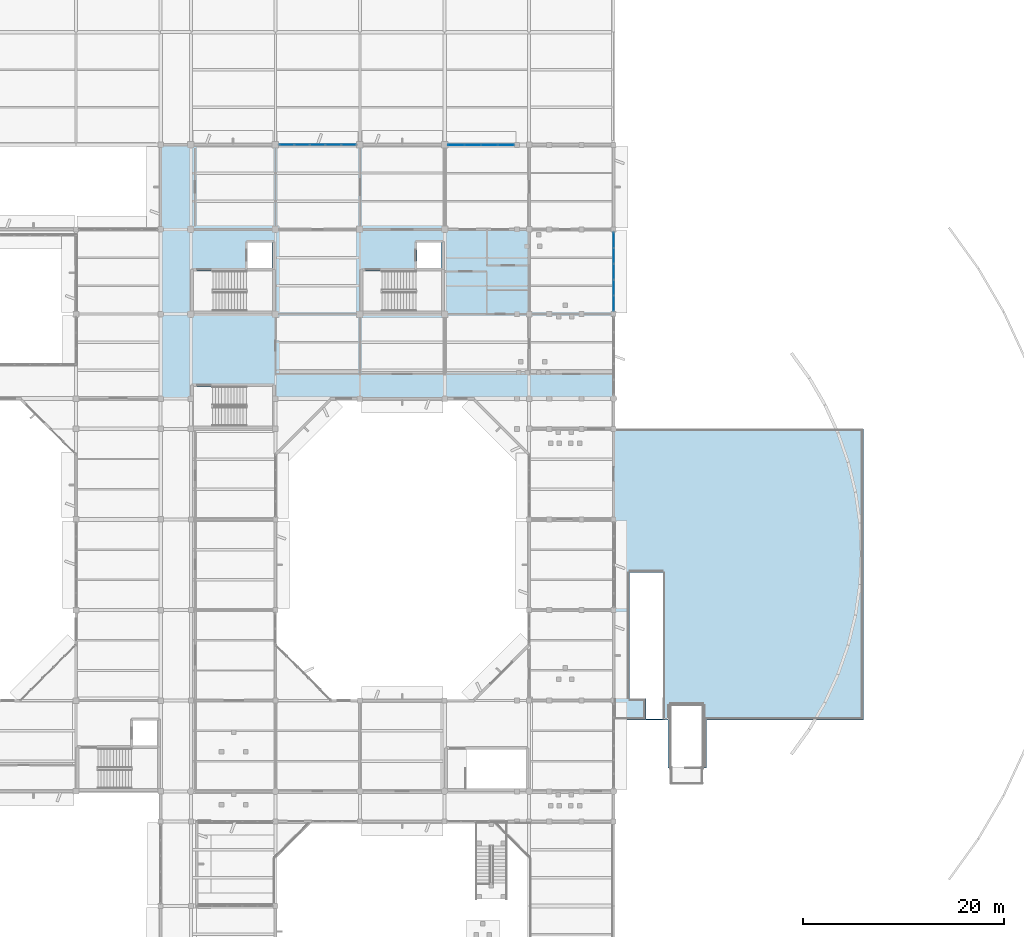
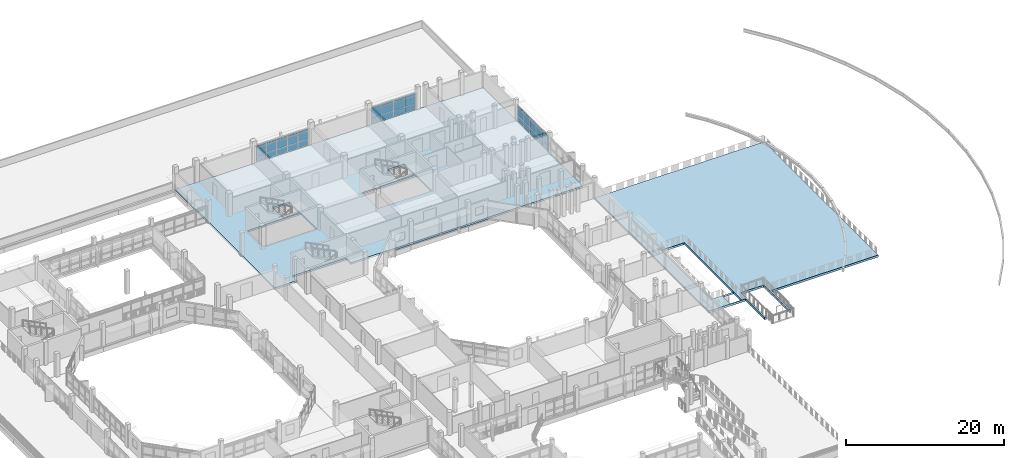
# One storey, part 56 of 92: 42 plates, 2 slabs, 3 elements without a shape of their own.
"""IFC4 building model written with IfcOpenShell, lengths in metres."""

from ifc_helpers import new_model, si_unit, direction, frame, origin, origin_2d, place, context, subcontext, project, spatial, polyline, rectangle, outline, extrude, material, layer, layer_set, type_object, element, aggregate, save


model = new_model("IFC4")

# Units and contexts
model_context = context("Model", 3, precision=1e-05, world=origin(), true_north=direction((0.0, 1.0)))
body_context = subcontext(model_context, "Body", "Model", "MODEL_VIEW")
ifc_project = project(units=[si_unit("LENGTHUNIT", "METRE"), si_unit("AREAUNIT", "SQUARE_METRE"), si_unit("VOLUMEUNIT", "CUBIC_METRE"), si_unit("PLANEANGLEUNIT", "RADIAN"), si_unit("MASSUNIT", "GRAM", prefix="KILO")], contexts=[model_context])

# Site, building, storey
site_placement = place(None, origin())
site = spatial("IfcSite", under=ifc_project, at=site_placement, CompositionType="ELEMENT")
building_placement = place(site_placement, origin())
building = spatial("IfcBuilding", under=site, at=building_placement, Name="Vanh Quang Courtyard School", CompositionType="ELEMENT")
storey_placement = place(building_placement, frame((0.0, 0.0, 7.800048828125)))
storey = spatial("IfcBuildingStorey", under=building, at=storey_placement, Name="L02", CompositionType="ELEMENT", Elevation=7.800048828125)

# Curtain wall, plates
ifc_material_1 = material(Name="Thermally broken aluminium unitised curtain wall", Category="aluminium")
curtain_wall_type_1 = type_object("IfcCurtainWallType", Name="CW-SYS-21", PredefinedType="NOTDEFINED", material=ifc_material_1)
curtain_wall_1_placement = place(storey_placement, origin())
curtain_wall_1 = element("IfcCurtainWall", 1, at=curtain_wall_1_placement, inside=storey, type_object=curtain_wall_type_1, Name="Curtain Wall CW-21 (L02)", PredefinedType="NOTDEFINED")
ifc_material_2 = material(Name="Low-E laminated double glazing", Category="glass")
ifc_layer_1 = layer(ifc_material_2, 0.028076171875)
ifc_layer_set_1 = layer_set([ifc_layer_1], Name="Low-E laminated double glazing")
plate_type_1 = type_object("IfcPlateType", Name="CW-PNL-28", PredefinedType="CURTAIN_PANEL", material=ifc_layer_set_1)
plate_1_placement = place(storey_placement, frame((86.926513671875, 96.60009765625, 0.079833984375), z_axis=(0.0, 0.0, 1.0), x_axis=(1.0, 0.0, 0.0)))
plate_1 = element("IfcPlate", 2, at=plate_1_placement, type_object=plate_type_1, Name="CW-21 panel 1.1", PredefinedType="CURTAIN_PANEL", context=body_context, shape_type="SweptSolid", body=[
    extrude(rectangle(XDim=1.4267578125, YDim=0.028076171875, at=origin_2d()), origin(), (0.0, 0.0, 1.0), 0.830078125),
])
plate_2_placement = place(storey_placement, frame((86.926513671875, 96.60009765625, 0.98974609375), z_axis=(0.0, 0.0, 1.0), x_axis=(1.0, 0.0, 0.0)))
plate_2 = element("IfcPlate", 3, at=plate_2_placement, type_object=plate_type_1, Name="CW-21 panel 1.2", PredefinedType="CURTAIN_PANEL", context=body_context, shape_type="SweptSolid", body=[
    extrude(rectangle(XDim=1.4267578125, YDim=0.028076171875, at=origin_2d()), origin(), (0.0, 0.0, 1.0), 1.219970703125),
])
plate_3_placement = place(storey_placement, frame((86.926513671875, 96.60009765625, 2.2900390625), z_axis=(0.0, 0.0, 1.0), x_axis=(1.0, 0.0, 0.0)))
plate_3 = element("IfcPlate", 4, at=plate_3_placement, type_object=plate_type_1, Name="CW-21 panel 1.3", PredefinedType="CURTAIN_PANEL", context=body_context, shape_type="SweptSolid", body=[
    extrude(rectangle(XDim=1.4267578125, YDim=0.028076171875, at=origin_2d()), origin(), (0.0, 0.0, 1.0), 0.27001953125),
])
plate_4_placement = place(storey_placement, frame((88.453125, 96.60009765625, 0.079833984375), z_axis=(0.0, 0.0, 1.0), x_axis=(1.0, 0.0, 0.0)))
plate_4 = element("IfcPlate", 5, at=plate_4_placement, type_object=plate_type_1, Name="CW-21 panel 2.1", PredefinedType="CURTAIN_PANEL", context=body_context, shape_type="SweptSolid", body=[
    extrude(rectangle(XDim=1.466796875, YDim=0.028076171875, at=origin_2d()), origin(), (0.0, 0.0, 1.0), 0.830078125),
])
plate_5_placement = place(storey_placement, frame((88.453125, 96.60009765625, 0.98974609375), z_axis=(0.0, 0.0, 1.0), x_axis=(1.0, 0.0, 0.0)))
plate_5 = element("IfcPlate", 6, at=plate_5_placement, type_object=plate_type_1, Name="CW-21 panel 2.2", PredefinedType="CURTAIN_PANEL", context=body_context, shape_type="SweptSolid", body=[
    extrude(rectangle(XDim=1.466796875, YDim=0.028076171875, at=origin_2d()), origin(), (0.0, 0.0, 1.0), 1.219970703125),
])
plate_6_placement = place(storey_placement, frame((88.453125, 96.60009765625, 2.2900390625), z_axis=(0.0, 0.0, 1.0), x_axis=(1.0, 0.0, 0.0)))
plate_6 = element("IfcPlate", 7, at=plate_6_placement, type_object=plate_type_1, Name="CW-21 panel 2.3", PredefinedType="CURTAIN_PANEL", context=body_context, shape_type="SweptSolid", body=[
    extrude(rectangle(XDim=1.466796875, YDim=0.028076171875, at=origin_2d()), origin(), (0.0, 0.0, 1.0), 0.27001953125),
])
plate_7_placement = place(storey_placement, frame((90.0, 96.60009765625, 0.079833984375), z_axis=(0.0, 0.0, 1.0), x_axis=(1.0, 0.0, 0.0)))
plate_7 = element("IfcPlate", 8, at=plate_7_placement, type_object=plate_type_1, Name="CW-21 panel 3.1", PredefinedType="CURTAIN_PANEL", context=body_context, shape_type="SweptSolid", body=[
    extrude(rectangle(XDim=1.466796875, YDim=0.028076171875, at=origin_2d()), origin(), (0.0, 0.0, 1.0), 0.830078125),
])
plate_8_placement = place(storey_placement, frame((90.0, 96.60009765625, 0.98974609375), z_axis=(0.0, 0.0, 1.0), x_axis=(1.0, 0.0, 0.0)))
plate_8 = element("IfcPlate", 9, at=plate_8_placement, type_object=plate_type_1, Name="CW-21 panel 3.2", PredefinedType="CURTAIN_PANEL", context=body_context, shape_type="SweptSolid", body=[
    extrude(rectangle(XDim=1.466796875, YDim=0.028076171875, at=origin_2d()), origin(), (0.0, 0.0, 1.0), 1.219970703125),
])
plate_9_placement = place(storey_placement, frame((90.0, 96.60009765625, 2.2900390625), z_axis=(0.0, 0.0, 1.0), x_axis=(1.0, 0.0, 0.0)))
plate_9 = element("IfcPlate", 10, at=plate_9_placement, type_object=plate_type_1, Name="CW-21 panel 3.3", PredefinedType="CURTAIN_PANEL", context=body_context, shape_type="SweptSolid", body=[
    extrude(rectangle(XDim=1.466796875, YDim=0.028076171875, at=origin_2d()), origin(), (0.0, 0.0, 1.0), 0.27001953125),
])
plate_10_placement = place(storey_placement, frame((91.546875, 96.60009765625, 0.079833984375), z_axis=(0.0, 0.0, 1.0), x_axis=(1.0, 0.0, 0.0)))
plate_10 = element("IfcPlate", 11, at=plate_10_placement, type_object=plate_type_1, Name="CW-21 panel 4.1", PredefinedType="CURTAIN_PANEL", context=body_context, shape_type="SweptSolid", body=[
    extrude(rectangle(XDim=1.466796875, YDim=0.028076171875, at=origin_2d()), origin(), (0.0, 0.0, 1.0), 0.830078125),
])
plate_11_placement = place(storey_placement, frame((91.546875, 96.60009765625, 0.98974609375), z_axis=(0.0, 0.0, 1.0), x_axis=(1.0, 0.0, 0.0)))
plate_11 = element("IfcPlate", 12, at=plate_11_placement, type_object=plate_type_1, Name="CW-21 panel 4.2", PredefinedType="CURTAIN_PANEL", context=body_context, shape_type="SweptSolid", body=[
    extrude(rectangle(XDim=1.466796875, YDim=0.028076171875, at=origin_2d()), origin(), (0.0, 0.0, 1.0), 1.219970703125),
])
plate_12_placement = place(storey_placement, frame((91.546875, 96.60009765625, 2.2900390625), z_axis=(0.0, 0.0, 1.0), x_axis=(1.0, 0.0, 0.0)))
plate_12 = element("IfcPlate", 13, at=plate_12_placement, type_object=plate_type_1, Name="CW-21 panel 4.3", PredefinedType="CURTAIN_PANEL", context=body_context, shape_type="SweptSolid", body=[
    extrude(rectangle(XDim=1.466796875, YDim=0.028076171875, at=origin_2d()), origin(), (0.0, 0.0, 1.0), 0.27001953125),
])
plate_13_placement = place(storey_placement, frame((93.073486328125, 96.60009765625, 0.079833984375), z_axis=(0.0, 0.0, 1.0), x_axis=(1.0, 0.0, 0.0)))
plate_13 = element("IfcPlate", 14, at=plate_13_placement, type_object=plate_type_1, Name="CW-21 panel 5.1", PredefinedType="CURTAIN_PANEL", context=body_context, shape_type="SweptSolid", body=[
    extrude(rectangle(XDim=1.4267578125, YDim=0.028076171875, at=origin_2d()), origin(), (0.0, 0.0, 1.0), 0.830078125),
])
plate_14_placement = place(storey_placement, frame((93.073486328125, 96.60009765625, 0.98974609375), z_axis=(0.0, 0.0, 1.0), x_axis=(1.0, 0.0, 0.0)))
plate_14 = element("IfcPlate", 15, at=plate_14_placement, type_object=plate_type_1, Name="CW-21 panel 5.2", PredefinedType="CURTAIN_PANEL", context=body_context, shape_type="SweptSolid", body=[
    extrude(rectangle(XDim=1.4267578125, YDim=0.028076171875, at=origin_2d()), origin(), (0.0, 0.0, 1.0), 1.219970703125),
])
plate_15_placement = place(storey_placement, frame((93.073486328125, 96.60009765625, 2.2900390625), z_axis=(0.0, 0.0, 1.0), x_axis=(1.0, 0.0, 0.0)))
plate_15 = element("IfcPlate", 16, at=plate_15_placement, type_object=plate_type_1, Name="CW-21 panel 5.3", PredefinedType="CURTAIN_PANEL", context=body_context, shape_type="SweptSolid", body=[
    extrude(rectangle(XDim=1.4267578125, YDim=0.028076171875, at=origin_2d()), origin(), (0.0, 0.0, 1.0), 0.27001953125),
])
aggregate(curtain_wall_1, [plate_1, plate_2, plate_3, plate_4, plate_5, plate_6, plate_7, plate_8, plate_9, plate_10, plate_11, plate_12, plate_13, plate_14, plate_15])

curtain_wall_type_2 = type_object("IfcCurtainWallType", Name="CW-SYS-19", PredefinedType="NOTDEFINED", material=ifc_material_1)
curtain_wall_2_placement = place(storey_placement, origin())
curtain_wall_2 = element("IfcCurtainWall", 17, at=curtain_wall_2_placement, inside=storey, type_object=curtain_wall_type_2, Name="Curtain Wall CW-19 (L02)", PredefinedType="NOTDEFINED")
plate_16_placement = place(storey_placement, frame((119.39990234375, 87.135986328125, 0.06982421875), z_axis=(0.0, 0.0, 1.0), x_axis=(0.0, -1.0, 0.0)))
plate_16 = element("IfcPlate", 18, at=plate_16_placement, type_object=plate_type_1, Name="CW-19 panel 1.1", PredefinedType="CURTAIN_PANEL", context=body_context, shape_type="SweptSolid", body=[
    extrude(rectangle(XDim=1.4716796875, YDim=0.028076171875, at=origin_2d()), origin(), (0.0, 0.0, 1.0), 0.844970703125),
])
plate_17_placement = place(storey_placement, frame((119.39990234375, 87.135986328125, 0.98486328125), z_axis=(0.0, 0.0, 1.0), x_axis=(0.0, -1.0, 0.0)))
plate_17 = element("IfcPlate", 19, at=plate_17_placement, type_object=plate_type_1, Name="CW-19 panel 1.2", PredefinedType="CURTAIN_PANEL", context=body_context, shape_type="SweptSolid", body=[
    extrude(rectangle(XDim=1.4716796875, YDim=0.028076171875, at=origin_2d()), origin(), (0.0, 0.0, 1.0), 1.22998046875),
])
plate_18_placement = place(storey_placement, frame((119.39990234375, 87.135986328125, 2.284912109375), z_axis=(0.0, 0.0, 1.0), x_axis=(0.0, -1.0, 0.0)))
plate_18 = element("IfcPlate", 20, at=plate_18_placement, type_object=plate_type_1, Name="CW-19 panel 1.3", PredefinedType="CURTAIN_PANEL", context=body_context, shape_type="SweptSolid", body=[
    extrude(rectangle(XDim=1.4716796875, YDim=0.028076171875, at=origin_2d()), origin(), (0.0, 0.0, 1.0), 0.22509765625),
])
plate_19_placement = place(storey_placement, frame((119.39990234375, 85.576904296875, 0.06982421875), z_axis=(0.0, 0.0, 1.0), x_axis=(0.0, -1.0, 0.0)))
plate_19 = element("IfcPlate", 21, at=plate_19_placement, type_object=plate_type_1, Name="CW-19 panel 2.1", PredefinedType="CURTAIN_PANEL", context=body_context, shape_type="SweptSolid", body=[
    extrude(rectangle(XDim=1.5068359375, YDim=0.028076171875, at=origin_2d()), origin(), (0.0, 0.0, 1.0), 0.844970703125),
])
plate_20_placement = place(storey_placement, frame((119.39990234375, 85.576904296875, 0.98486328125), z_axis=(0.0, 0.0, 1.0), x_axis=(0.0, -1.0, 0.0)))
plate_20 = element("IfcPlate", 22, at=plate_20_placement, type_object=plate_type_1, Name="CW-19 panel 2.2", PredefinedType="CURTAIN_PANEL", context=body_context, shape_type="SweptSolid", body=[
    extrude(rectangle(XDim=1.5068359375, YDim=0.028076171875, at=origin_2d()), origin(), (0.0, 0.0, 1.0), 1.22998046875),
])
plate_21_placement = place(storey_placement, frame((119.39990234375, 85.576904296875, 2.284912109375), z_axis=(0.0, 0.0, 1.0), x_axis=(0.0, -1.0, 0.0)))
plate_21 = element("IfcPlate", 23, at=plate_21_placement, type_object=plate_type_1, Name="CW-19 panel 2.3", PredefinedType="CURTAIN_PANEL", context=body_context, shape_type="SweptSolid", body=[
    extrude(rectangle(XDim=1.5068359375, YDim=0.028076171875, at=origin_2d()), origin(), (0.0, 0.0, 1.0), 0.22509765625),
])
plate_22_placement = place(storey_placement, frame((119.39990234375, 84.0, 0.06982421875), z_axis=(0.0, 0.0, 1.0), x_axis=(0.0, -1.0, 0.0)))
plate_22 = element("IfcPlate", 24, at=plate_22_placement, type_object=plate_type_1, Name="CW-19 panel 3.1", PredefinedType="CURTAIN_PANEL", context=body_context, shape_type="SweptSolid", body=[
    extrude(rectangle(XDim=1.5068359375, YDim=0.028076171875, at=origin_2d()), origin(), (0.0, 0.0, 1.0), 0.844970703125),
])
plate_23_placement = place(storey_placement, frame((119.39990234375, 84.0, 0.98486328125), z_axis=(0.0, 0.0, 1.0), x_axis=(0.0, -1.0, 0.0)))
plate_23 = element("IfcPlate", 25, at=plate_23_placement, type_object=plate_type_1, Name="CW-19 panel 3.2", PredefinedType="CURTAIN_PANEL", context=body_context, shape_type="SweptSolid", body=[
    extrude(rectangle(XDim=1.5068359375, YDim=0.028076171875, at=origin_2d()), origin(), (0.0, 0.0, 1.0), 1.22998046875),
])
plate_24_placement = place(storey_placement, frame((119.39990234375, 84.0, 2.284912109375), z_axis=(0.0, 0.0, 1.0), x_axis=(0.0, -1.0, 0.0)))
plate_24 = element("IfcPlate", 26, at=plate_24_placement, type_object=plate_type_1, Name="CW-19 panel 3.3", PredefinedType="CURTAIN_PANEL", context=body_context, shape_type="SweptSolid", body=[
    extrude(rectangle(XDim=1.5068359375, YDim=0.028076171875, at=origin_2d()), origin(), (0.0, 0.0, 1.0), 0.22509765625),
])
plate_25_placement = place(storey_placement, frame((119.39990234375, 82.423095703125, 0.06982421875), z_axis=(0.0, 0.0, 1.0), x_axis=(0.0, -1.0, 0.0)))
plate_25 = element("IfcPlate", 27, at=plate_25_placement, type_object=plate_type_1, Name="CW-19 panel 4.1", PredefinedType="CURTAIN_PANEL", context=body_context, shape_type="SweptSolid", body=[
    extrude(rectangle(XDim=1.5068359375, YDim=0.028076171875, at=origin_2d()), origin(), (0.0, 0.0, 1.0), 0.844970703125),
])
plate_26_placement = place(storey_placement, frame((119.39990234375, 82.423095703125, 0.98486328125), z_axis=(0.0, 0.0, 1.0), x_axis=(0.0, -1.0, 0.0)))
plate_26 = element("IfcPlate", 28, at=plate_26_placement, type_object=plate_type_1, Name="CW-19 panel 4.2", PredefinedType="CURTAIN_PANEL", context=body_context, shape_type="SweptSolid", body=[
    extrude(rectangle(XDim=1.5068359375, YDim=0.028076171875, at=origin_2d()), origin(), (0.0, 0.0, 1.0), 1.22998046875),
])
plate_27_placement = place(storey_placement, frame((119.39990234375, 82.423095703125, 2.284912109375), z_axis=(0.0, 0.0, 1.0), x_axis=(0.0, -1.0, 0.0)))
plate_27 = element("IfcPlate", 29, at=plate_27_placement, type_object=plate_type_1, Name="CW-19 panel 4.3", PredefinedType="CURTAIN_PANEL", context=body_context, shape_type="SweptSolid", body=[
    extrude(rectangle(XDim=1.5068359375, YDim=0.028076171875, at=origin_2d()), origin(), (0.0, 0.0, 1.0), 0.22509765625),
])
plate_28_placement = place(storey_placement, frame((119.39990234375, 80.864013671875, 0.06982421875), z_axis=(0.0, 0.0, 1.0), x_axis=(0.0, -1.0, 0.0)))
plate_28 = element("IfcPlate", 30, at=plate_28_placement, type_object=plate_type_1, Name="CW-19 panel 5.1", PredefinedType="CURTAIN_PANEL", context=body_context, shape_type="SweptSolid", body=[
    extrude(rectangle(XDim=1.4716796875, YDim=0.028076171875, at=origin_2d()), origin(), (0.0, 0.0, 1.0), 0.844970703125),
])
plate_29_placement = place(storey_placement, frame((119.39990234375, 80.864013671875, 0.98486328125), z_axis=(0.0, 0.0, 1.0), x_axis=(0.0, -1.0, 0.0)))
plate_29 = element("IfcPlate", 31, at=plate_29_placement, type_object=plate_type_1, Name="CW-19 panel 5.2", PredefinedType="CURTAIN_PANEL", context=body_context, shape_type="SweptSolid", body=[
    extrude(rectangle(XDim=1.4716796875, YDim=0.028076171875, at=origin_2d()), origin(), (0.0, 0.0, 1.0), 1.22998046875),
])
plate_30_placement = place(storey_placement, frame((119.39990234375, 80.864013671875, 2.284912109375), z_axis=(0.0, 0.0, 1.0), x_axis=(0.0, -1.0, 0.0)))
plate_30 = element("IfcPlate", 32, at=plate_30_placement, type_object=plate_type_1, Name="CW-19 panel 5.3", PredefinedType="CURTAIN_PANEL", context=body_context, shape_type="SweptSolid", body=[
    extrude(rectangle(XDim=1.4716796875, YDim=0.028076171875, at=origin_2d()), origin(), (0.0, 0.0, 1.0), 0.22509765625),
])
aggregate(curtain_wall_2, [plate_16, plate_17, plate_18, plate_19, plate_20, plate_21, plate_22, plate_23, plate_24, plate_25, plate_26, plate_27, plate_28, plate_29, plate_30])

curtain_wall_type_3 = type_object("IfcCurtainWallType", Name="CW-SYS-49", PredefinedType="NOTDEFINED", material=ifc_material_1)
curtain_wall_3_placement = place(storey_placement, origin())
curtain_wall_3 = element("IfcCurtainWall", 33, at=curtain_wall_3_placement, inside=storey, type_object=curtain_wall_type_3, Name="Curtain Wall CW-49 (L02)", PredefinedType="NOTDEFINED")
ifc_layer_2 = layer(ifc_material_2, 0.031982421875)
ifc_layer_set_2 = layer_set([ifc_layer_2], Name="Low-E laminated double glazing")
plate_type_2 = type_object("IfcPlateType", Name="CW-PNL-32", PredefinedType="CURTAIN_PANEL", material=ifc_layer_set_2)
plate_31_placement = place(storey_placement, frame((103.774169921875, 96.60009765625, 0.06005859375), z_axis=(0.0, 0.0, 1.0), x_axis=(1.0, 0.0, 0.0)))
plate_31 = element("IfcPlate", 34, at=plate_31_placement, type_object=plate_type_2, Name="CW-49 panel 1.1", PredefinedType="CURTAIN_PANEL", context=body_context, shape_type="SweptSolid", body=[
    extrude(rectangle(XDim=1.562255859375, YDim=0.031982421875, at=origin_2d()), origin(), (0.0, 0.0, 1.0), 0.860107421875),
])
plate_32_placement = place(storey_placement, frame((103.774169921875, 96.60009765625, 0.97998046875), z_axis=(0.0, 0.0, 1.0), x_axis=(1.0, 0.0, 0.0)))
plate_32 = element("IfcPlate", 35, at=plate_32_placement, type_object=plate_type_2, Name="CW-49 panel 1.2", PredefinedType="CURTAIN_PANEL", context=body_context, shape_type="SweptSolid", body=[
    extrude(rectangle(XDim=1.562255859375, YDim=0.031982421875, at=origin_2d()), origin(), (0.0, 0.0, 1.0), 1.239990234375),
])
plate_33_placement = place(storey_placement, frame((103.774169921875, 96.60009765625, 2.27978515625), z_axis=(0.0, 0.0, 1.0), x_axis=(1.0, 0.0, 0.0)))
plate_33 = element("IfcPlate", 36, at=plate_33_placement, type_object=plate_type_2, Name="CW-49 panel 1.3", PredefinedType="CURTAIN_PANEL", context=body_context, shape_type="SweptSolid", body=[
    extrude(rectangle(XDim=1.562255859375, YDim=0.031982421875, at=origin_2d()), origin(), (0.0, 0.0, 1.0), 0.300048828125),
])
plate_34_placement = place(storey_placement, frame((105.411376953125, 96.60009765625, 0.06005859375), z_axis=(0.0, 0.0, 1.0), x_axis=(1.0, 0.0, 0.0)))
plate_34 = element("IfcPlate", 37, at=plate_34_placement, type_object=plate_type_2, Name="CW-49 panel 2.1", PredefinedType="CURTAIN_PANEL", context=body_context, shape_type="SweptSolid", body=[
    extrude(rectangle(XDim=1.59228515625, YDim=0.031982421875, at=origin_2d()), origin(), (0.0, 0.0, 1.0), 0.860107421875),
])
plate_35_placement = place(storey_placement, frame((105.411376953125, 96.60009765625, 0.97998046875), z_axis=(0.0, 0.0, 1.0), x_axis=(1.0, 0.0, 0.0)))
plate_35 = element("IfcPlate", 38, at=plate_35_placement, type_object=plate_type_2, Name="CW-49 panel 2.2", PredefinedType="CURTAIN_PANEL", context=body_context, shape_type="SweptSolid", body=[
    extrude(rectangle(XDim=1.59228515625, YDim=0.031982421875, at=origin_2d()), origin(), (0.0, 0.0, 1.0), 1.239990234375),
])
plate_36_placement = place(storey_placement, frame((105.411376953125, 96.60009765625, 2.27978515625), z_axis=(0.0, 0.0, 1.0), x_axis=(1.0, 0.0, 0.0)))
plate_36 = element("IfcPlate", 39, at=plate_36_placement, type_object=plate_type_2, Name="CW-49 panel 2.3", PredefinedType="CURTAIN_PANEL", context=body_context, shape_type="SweptSolid", body=[
    extrude(rectangle(XDim=1.59228515625, YDim=0.031982421875, at=origin_2d()), origin(), (0.0, 0.0, 1.0), 0.300048828125),
])
plate_37_placement = place(storey_placement, frame((107.063720703125, 96.60009765625, 0.06005859375), z_axis=(0.0, 0.0, 1.0), x_axis=(1.0, 0.0, 0.0)))
plate_37 = element("IfcPlate", 40, at=plate_37_placement, type_object=plate_type_2, Name="CW-49 panel 3.1", PredefinedType="CURTAIN_PANEL", context=body_context, shape_type="SweptSolid", body=[
    extrude(rectangle(XDim=1.59228515625, YDim=0.031982421875, at=origin_2d()), origin(), (0.0, 0.0, 1.0), 0.860107421875),
])
plate_38_placement = place(storey_placement, frame((107.063720703125, 96.60009765625, 0.97998046875), z_axis=(0.0, 0.0, 1.0), x_axis=(1.0, 0.0, 0.0)))
plate_38 = element("IfcPlate", 41, at=plate_38_placement, type_object=plate_type_2, Name="CW-49 panel 3.2", PredefinedType="CURTAIN_PANEL", context=body_context, shape_type="SweptSolid", body=[
    extrude(rectangle(XDim=1.59228515625, YDim=0.031982421875, at=origin_2d()), origin(), (0.0, 0.0, 1.0), 1.239990234375),
])
plate_39_placement = place(storey_placement, frame((107.063720703125, 96.60009765625, 2.27978515625), z_axis=(0.0, 0.0, 1.0), x_axis=(1.0, 0.0, 0.0)))
plate_39 = element("IfcPlate", 42, at=plate_39_placement, type_object=plate_type_2, Name="CW-49 panel 3.3", PredefinedType="CURTAIN_PANEL", context=body_context, shape_type="SweptSolid", body=[
    extrude(rectangle(XDim=1.59228515625, YDim=0.031982421875, at=origin_2d()), origin(), (0.0, 0.0, 1.0), 0.300048828125),
])
plate_40_placement = place(storey_placement, frame((108.700927734375, 96.60009765625, 0.06005859375), z_axis=(0.0, 0.0, 1.0), x_axis=(1.0, 0.0, 0.0)))
plate_40 = element("IfcPlate", 43, at=plate_40_placement, type_object=plate_type_2, Name="CW-49 panel 4.1", PredefinedType="CURTAIN_PANEL", context=body_context, shape_type="SweptSolid", body=[
    extrude(rectangle(XDim=1.562255859375, YDim=0.031982421875, at=origin_2d()), origin(), (0.0, 0.0, 1.0), 0.860107421875),
])
plate_41_placement = place(storey_placement, frame((108.700927734375, 96.60009765625, 0.97998046875), z_axis=(0.0, 0.0, 1.0), x_axis=(1.0, 0.0, 0.0)))
plate_41 = element("IfcPlate", 44, at=plate_41_placement, type_object=plate_type_2, Name="CW-49 panel 4.2", PredefinedType="CURTAIN_PANEL", context=body_context, shape_type="SweptSolid", body=[
    extrude(rectangle(XDim=1.562255859375, YDim=0.031982421875, at=origin_2d()), origin(), (0.0, 0.0, 1.0), 1.239990234375),
])
plate_42_placement = place(storey_placement, frame((108.700927734375, 96.60009765625, 2.27978515625), z_axis=(0.0, 0.0, 1.0), x_axis=(1.0, 0.0, 0.0)))
plate_42 = element("IfcPlate", 45, at=plate_42_placement, type_object=plate_type_2, Name="CW-49 panel 4.3", PredefinedType="CURTAIN_PANEL", context=body_context, shape_type="SweptSolid", body=[
    extrude(rectangle(XDim=1.562255859375, YDim=0.031982421875, at=origin_2d()), origin(), (0.0, 0.0, 1.0), 0.300048828125),
])
aggregate(curtain_wall_3, [plate_31, plate_32, plate_33, plate_34, plate_35, plate_36, plate_37, plate_38, plate_39, plate_40, plate_41, plate_42])

# Slabs
ifc_material_3 = material(Name="Concrete C30/37", Category="concrete")
ifc_layer_3 = layer(ifc_material_3, 0.280029296875)
ifc_layer_set_3 = layer_set([ifc_layer_3], Name="Concrete C30/37")
slab_type_1 = type_object("IfcSlabType", Name="SLB-FLR-280", PredefinedType="FLOOR", material=ifc_layer_set_3)
slab_1_placement = place(storey_placement, frame((0.0, 0.0, -0.280029296875)))
element("IfcSlab", 46, at=slab_1_placement, inside=storey, type_object=slab_type_1, Name="Slab SF-02 (L02)", PredefinedType="FLOOR", context=body_context, shape_type="SweptSolid", body=[
    extrude(outline(polyline([(77.679931640625, 71.39990234375), (77.679931640625, 72.60009765625), (85.52001953125, 72.60009765625), (85.52001953125, 71.39990234375), (119.39990234375, 71.39990234375), (119.39990234375, 96.60009765625), (74.39990234375, 96.60009765625), (74.39990234375, 71.39990234375), (77.679931640625, 71.39990234375)]), holes=[polyline([(85.52001953125, 84.080078125), (85.52001953125, 80.080078125), (77.679931640625, 80.080078125), (77.679931640625, 84.080078125), (85.52001953125, 84.080078125)]), polyline([(85.449951171875, 84.360107421875), (83.050048828125, 84.360107421875), (83.050048828125, 86.909912109375), (85.449951171875, 86.909912109375), (85.449951171875, 84.360107421875)]), polyline([(102.320068359375, 80.080078125), (94.47998046875, 80.080078125), (94.47998046875, 84.080078125), (102.320068359375, 84.080078125), (102.320068359375, 80.080078125)]), polyline([(102.25, 84.360107421875), (99.85009765625, 84.360107421875), (99.85009765625, 86.909912109375), (102.25, 86.909912109375), (102.25, 84.360107421875)])]), origin(), (0.0, 0.0, 1.0), 0.280029296875),
])
ifc_material_4 = material(Name="Concrete C35/45", Category="concrete")
ifc_layer_4 = layer(ifc_material_4, 0.320068359375)
ifc_layer_set_4 = layer_set([ifc_layer_4], Name="Concrete C35/45")
slab_type_2 = type_object("IfcSlabType", Name="SLB-PDK-320", PredefinedType="FLOOR", material=ifc_layer_set_4)
slab_2_placement = place(storey_placement, frame((0.0, 0.0, -0.320068359375)))
element("IfcSlab", 47, at=slab_2_placement, inside=storey, type_object=slab_type_2, Name="Slab SP-01 (L02)", PredefinedType="FLOOR", context=body_context, shape_type="SweptSolid", body=[
    extrude(outline(polyline([(119.39990234375, 68.39990234375), (119.39990234375, 39.5), (124.800048828125, 39.5), (124.800048828125, 34.699951171875), (125.0849609375, 34.699951171875), (125.0849609375, 34.780029296875), (125.0888671875, 34.7900390625), (125.0, 34.7900390625), (125.0, 41.0), (128.300048828125, 41.0), (128.300048828125, 34.7900390625), (128.211181640625, 34.7900390625), (128.215087890625, 34.780029296875), (128.215087890625, 34.699951171875), (128.60009765625, 34.699951171875), (128.60009765625, 39.5), (144.199951171875, 39.5), (144.199951171875, 68.39990234375), (119.39990234375, 68.39990234375)]), holes=[polyline([(122.609375, 39.58935546875), (122.60498046875, 39.60009765625), (122.60498046875, 41.60009765625), (122.6083984375, 41.609619140625), (122.6201171875, 41.614990234375), (124.239990234375, 41.614990234375), (124.24951171875, 41.611572265625), (124.2548828125, 41.60009765625), (124.2548828125, 39.60009765625), (124.251708984375, 39.590576171875), (124.239990234375, 39.5849609375), (122.618408203125, 39.585205078125), (122.609375, 39.58935546875)]), polyline([(124.280029296875, 54.14990234375), (124.280029296875, 41.6201171875), (120.949951171875, 41.6201171875), (120.949951171875, 54.14990234375), (124.280029296875, 54.14990234375)])]), origin(), (0.0, 0.0, 1.0), 0.320068359375),
])

save(model, "model.ifc")
